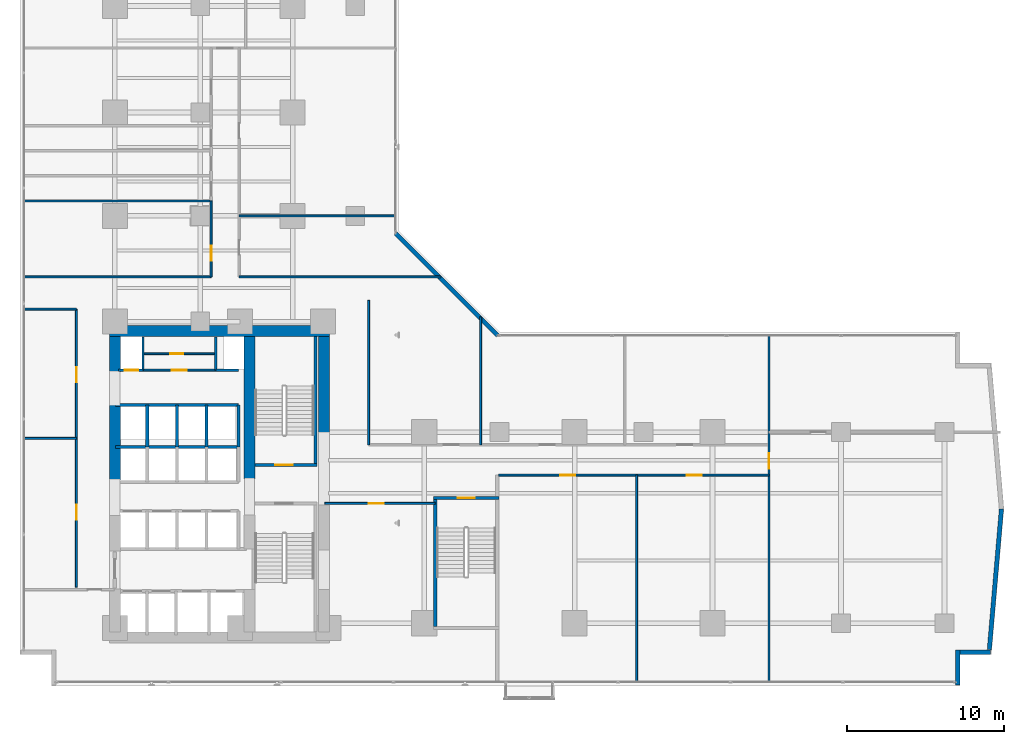
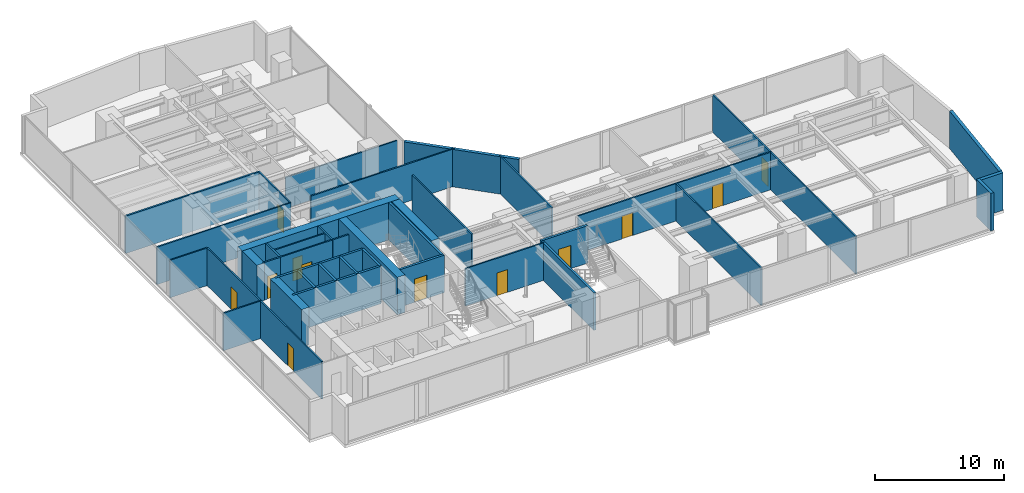
# One storey, part 24 of 30: 39 walls, 12 doors, 12 openings.
"""IFC4 building model written with IfcOpenShell, lengths in metres."""

import ifcopenshell
import ifcopenshell.guid

model = None  # the IFC model being written
_history = None  # IfcOwnerHistory: only IFC2X3 demands one
_inside = {}  # id of a spatial element -> (the spatial element, [elements in it])
_under = {}  # id of a project, library or spatial element -> (it, [spatial elements below it])
_declared = {}  # id of a project -> (the project, [libraries it declares])
_typed = {}  # id of a type object -> (the type object, [elements of that type])
_made_of = {}  # id of a material, layer set ... -> (it, [elements and type objects made of it])


def new_model(schema):
    """Start an empty IFC model of exactly this schema.

    Asked for "IFC4X3", IfcOpenShell would pick the latest addendum, in which some entities
    have other attributes; the version numbers below select the first issue.
    IFC2X3 requires an IfcOwnerHistory on every rooted entity: one is made here for all.
    """
    global model, _history
    if schema == "IFC4X3":
        model = ifcopenshell.file(schema_version=(4, 3, 0, 0))
    else:
        model = ifcopenshell.file(schema=schema)
    _inside.clear()
    _under.clear()
    _declared.clear()
    _typed.clear()
    _made_of.clear()
    _history = None
    if model.schema == "IFC2X3":
        org = make("IfcOrganization", Name="unknown")
        user = make(
            "IfcPersonAndOrganization",
            ThePerson=make("IfcPerson", FamilyName="unknown"),
            TheOrganization=org,
        )
        app = make(
            "IfcApplication",
            ApplicationDeveloper=org,
            Version="unknown",
            ApplicationFullName="unknown",
            ApplicationIdentifier="unknown",
        )
        _history = make(
            "IfcOwnerHistory",
            OwningUser=user,
            OwningApplication=app,
            ChangeAction="ADDED",
            CreationDate=0,
        )
    return model


def make(cls, **values):
    """One entity of the class cls with the attributes given. An attribute that is None is left unset."""
    return model.create_entity(
        cls, **{name: value for name, value in values.items() if value is not None}
    )


def rooted(cls, **values):
    """An entity with a GlobalId (a new one), such as an element, a storey or a relation."""
    return make(cls, GlobalId=ifcopenshell.guid.new(), OwnerHistory=_history, **values)


def si_unit(unit_type, name, prefix=None):
    """IfcSIUnit, for example si_unit("LENGTHUNIT", "METRE", prefix="MILLI")."""
    return make("IfcSIUnit", UnitType=unit_type, Prefix=prefix, Name=name)


def assignment(units):
    """IfcUnitAssignment: the units of a project."""
    return None if units is None else make("IfcUnitAssignment", Units=units)


def point(xyz):
    """IfcCartesianPoint."""
    return None if xyz is None else make("IfcCartesianPoint", Coordinates=xyz)


def direction(xyz):
    """IfcDirection."""
    return None if xyz is None else make("IfcDirection", DirectionRatios=xyz)


def frame(location, z_axis=None, x_axis=None):
    """IfcAxis2Placement3D, a coordinate frame: its origin and axes. An axis left out is left unset."""
    return make(
        "IfcAxis2Placement3D",
        Location=point(location),
        Axis=direction(z_axis),
        RefDirection=direction(x_axis),
    )


def frame_2d(location, x_axis=None):
    """IfcAxis2Placement2D, a coordinate frame in the plane: its origin and x axis."""
    return make(
        "IfcAxis2Placement2D", Location=point(location), RefDirection=direction(x_axis)
    )


def origin():
    """The frame at (0, 0, 0) with its axes left unset."""
    return frame((0.0, 0.0, 0.0))


def place(relative_to, where):
    """IfcLocalPlacement: puts the frame where relative to a parent placement (None: the world)."""
    return make(
        "IfcLocalPlacement", PlacementRelTo=relative_to, RelativePlacement=where
    )


def context(
    kind, dimensions, precision=None, world=None, true_north=None, identifier=None
):
    """IfcGeometricRepresentationContext, for example the 3D "Model" context."""
    return make(
        "IfcGeometricRepresentationContext",
        ContextIdentifier=identifier,
        ContextType=kind,
        CoordinateSpaceDimension=dimensions,
        Precision=precision,
        WorldCoordinateSystem=world,
        TrueNorth=true_north,
    )


def subcontext(parent, identifier, kind, view, scale=None):
    """IfcGeometricRepresentationSubContext, for example "Body" below "Model"."""
    return make(
        "IfcGeometricRepresentationSubContext",
        ContextIdentifier=identifier,
        ContextType=kind,
        ParentContext=parent,
        TargetScale=scale,
        TargetView=view,
    )


def project(units=None, contexts=None):
    """IfcProject with its units and contexts."""
    return rooted(
        "IfcProject",
        Name="project",
        RepresentationContexts=contexts,
        UnitsInContext=assignment(units),
    )


def spatial(cls, under=None, at=None, **own):
    """A site, building, storey or space (cls), placed at a placement, below another one or the project."""
    s = rooted(cls, ObjectPlacement=at, **own)
    if under is not None:
        _under.setdefault(under.id(), (under, []))[1].append(s)
    return s


def profile(cls, at=None, kind="AREA", **sizes):
    """A parametric profile (cls). Its sizes go by their IFC names, for example OverallWidth=200.0."""
    return make(cls, ProfileType=kind, Position=at, **sizes)


def rectangle(**sizes):
    """IfcRectangleProfileDef."""
    return profile("IfcRectangleProfileDef", **sizes)


def extrude(swept, where, along, depth):
    """IfcExtrudedAreaSolid: the profile swept, set in the frame where, extruded along a direction by depth."""
    return make(
        "IfcExtrudedAreaSolid",
        SweptArea=swept,
        Position=where,
        ExtrudedDirection=direction(along),
        Depth=depth,
    )


def shape(context_of_items, identifier, shape_type, items):
    """IfcShapeRepresentation: the items that make up one representation, for example the "Body"."""
    return make(
        "IfcShapeRepresentation",
        ContextOfItems=context_of_items,
        RepresentationIdentifier=identifier,
        RepresentationType=shape_type,
        Items=items,
    )


def material(Name=None, Category=None):
    """IfcMaterial."""
    return make("IfcMaterial", Name=Name, Category=Category)


def layer(
    of_material, thickness, ventilated=None, Name=None, Category=None, Priority=None
):
    """IfcMaterialLayer: one layer of a wall or slab, of a material (None: an air gap)."""
    return make(
        "IfcMaterialLayer",
        Material=of_material,
        LayerThickness=thickness,
        IsVentilated=ventilated,
        Name=Name,
        Category=Category,
        Priority=Priority,
    )


def layer_set(layers, Name=None):
    """IfcMaterialLayerSet."""
    return make("IfcMaterialLayerSet", MaterialLayers=layers, LayerSetName=Name)


def made_of(thing, what):
    """Note that an element or type object is made of a material, layer set ...; save() writes the relation."""
    if what is not None:
        _made_of.setdefault(what.id(), (what, []))[1].append(thing)
    return thing


def type_object(cls, material=None, **own):
    """A type object (cls), such as IfcWallType, which elements share."""
    return made_of(rooted(cls, **own), material)


def element(
    cls,
    number,
    at=None,
    inside=None,
    cuts=None,
    type_object=None,
    material=None,
    context=None,
    identifier="Body",
    shape_type=None,
    held_by="IfcProductDefinitionShape",
    body=None,
    shapes=None,
    **own,
):
    """One element of the class cls, such as IfcWall. Its Tag is "e" and its number.

    at: its placement. inside: the storey or other place that contains it. cuts: it is an
    opening in that element (IfcRelVoidsElement). A single representation is given by context,
    identifier, shape_type and body (its items); several are given by shapes. held_by: the class
    of the entity that holds the representations. save() writes the other relations.
    """
    e = rooted(cls, Tag="e%d" % number, ObjectPlacement=at, **own)
    if body is not None:
        shapes = [shape(context, identifier, shape_type, body)]
    if shapes is not None:
        e.Representation = make(held_by, Representations=shapes)
    if inside is not None:
        _inside.setdefault(inside.id(), (inside, []))[1].append(e)
    if cuts is not None:
        rooted(
            "IfcRelVoidsElement", RelatingBuildingElement=cuts, RelatedOpeningElement=e
        )
    if type_object is not None:
        _typed.setdefault(type_object.id(), (type_object, []))[1].append(e)
    return made_of(e, material)


def fill(opening, filler):
    """IfcRelFillsElement: the door or window that sits in an opening."""
    return rooted(
        "IfcRelFillsElement",
        RelatingOpeningElement=opening,
        RelatedBuildingElement=filler,
    )


def aggregate(whole, parts):
    """IfcRelAggregates: a whole, such as a stair, and the parts it consists of."""
    return rooted("IfcRelAggregates", RelatingObject=whole, RelatedObjects=parts)


def save(model, path):
    """Write the relations noted so far, then the file.

    IfcRelAggregates (storeys below a building ...), IfcRelContainedInSpatialStructure (elements
    in a storey), IfcRelDefinesByType, IfcRelAssociatesMaterial and IfcRelDeclares: one each for
    every whole, place, type object, material and project.
    """
    for whole, parts in _under.values():
        aggregate(whole, parts)
    for where, things in _inside.values():
        rooted(
            "IfcRelContainedInSpatialStructure",
            RelatedElements=things,
            RelatingStructure=where,
        )
    for kind, things in _typed.values():
        rooted("IfcRelDefinesByType", RelatedObjects=things, RelatingType=kind)
    for what, things in _made_of.values():
        rooted("IfcRelAssociatesMaterial", RelatedObjects=things, RelatingMaterial=what)
    for by, libraries in _declared.values():
        rooted("IfcRelDeclares", RelatingContext=by, RelatedDefinitions=libraries)
    model.write(path)


model = new_model("IFC4")

# Units and contexts
model_context = context("Model", 3, precision=1e-05, world=origin(), true_north=direction((0.0, 1.0)))
body_context = subcontext(model_context, "Body", "Model", "MODEL_VIEW")
ifc_project = project(units=[si_unit("LENGTHUNIT", "METRE"), si_unit("AREAUNIT", "SQUARE_METRE"), si_unit("VOLUMEUNIT", "CUBIC_METRE"), si_unit("PLANEANGLEUNIT", "RADIAN"), si_unit("MASSUNIT", "GRAM", prefix="KILO")], contexts=[model_context])

# Site, building, storey
site_placement = place(None, origin())
site = spatial("IfcSite", under=ifc_project, at=site_placement, CompositionType="ELEMENT")
building_placement = place(site_placement, origin())
building = spatial("IfcBuilding", under=site, at=building_placement, Name="Kolvaren Waterfront Exchange", CompositionType="ELEMENT")
storey_placement = place(building_placement, frame((0.0, 0.0, 52.39990234375)))
storey = spatial("IfcBuildingStorey", under=building, at=storey_placement, Name="L13", CompositionType="ELEMENT", Elevation=52.39990234375)

# Walls
ifc_material_1 = material(Name="Precast concrete C40/50", Category="concrete")
ifc_layer_1 = layer(ifc_material_1, 0.280029296875, Name="Precast concrete C40/50")
ifc_layer_set_1 = layer_set([ifc_layer_1], Name="Precast concrete C40/50")
wall_type_1 = type_object("IfcWallType", Name="ARC-EXT-TERR-280", PredefinedType="SOLIDWALL", material=ifc_layer_set_1)
wall_1_placement = place(storey_placement, frame((61.239990234375, 1.260009765625, 0.0), z_axis=(0.0, 0.0, 1.0), x_axis=(0.0, 1.0, 0.0)))
element("IfcWall", 1, at=wall_1_placement, inside=storey, type_object=wall_type_1, Name="L13 notched corner spandrel pier SE-A", PredefinedType="SOLIDWALL", context=body_context, shape_type="SweptSolid", body=[
    extrude(rectangle(XDim=2.239990234375, YDim=0.280029296875, at=frame_2d((1.1201171875, 0.0))), origin(), (0.0, 0.0, 1.0), 3.5400390625),
])
wall_2_placement = place(storey_placement, frame((61.3798828125, 3.360107421875, 0.0), z_axis=(0.0, 0.0, 1.0), x_axis=(1.0, 0.0, 0.0)))
element("IfcWall", 2, at=wall_2_placement, inside=storey, type_object=wall_type_1, Name="L13 notched corner spandrel pier SE-B", PredefinedType="SOLIDWALL", context=body_context, shape_type="SweptSolid", body=[
    extrude(rectangle(XDim=1.960205078125, YDim=0.280029296875, at=frame_2d((0.97998046875, 0.0))), origin(), (0.0, 0.0, 1.0), 3.5400390625),
])
wall_3_placement = place(storey_placement, frame((31.885009765625, 23.574951171875, 0.0), z_axis=(0.0, 0.0, 1.0), x_axis=(-0.707106781187, 0.707106781187, 0.0)))
element("IfcWall", 3, at=wall_3_placement, inside=storey, type_object=wall_type_1, Name="L13 notched corner spandrel pier ELBOW", PredefinedType="SOLIDWALL", context=body_context, shape_type="SweptSolid", body=[
    extrude(rectangle(XDim=9.20654296875, YDim=0.280029296875, at=frame_2d((4.603271484375, 0.0))), origin(), (0.0, 0.0, 1.0), 3.5400390625),
])
wall_4_placement = place(storey_placement, frame((63.266357421875, 3.5126953125, 0.0), z_axis=(0.0, 0.0, 1.0), x_axis=(0.085692274626, 0.996321651912, 0.0)))
element("IfcWall", 4, at=wall_4_placement, inside=storey, type_object=wall_type_1, Name="L13 east prow faceted facade wall 1", PredefinedType="SOLIDWALL", context=body_context, shape_type="SweptSolid", body=[
    extrude(rectangle(XDim=9.014404296875, YDim=0.280029296875, at=frame_2d((4.50732421875, 0.0))), origin(), (0.0, 0.0, 1.0), 3.5400390625),
])

# Wall, opening, door
ifc_layer_2 = layer(ifc_material_1, 0.199951171875, Name="Precast concrete C40/50")
ifc_layer_set_2 = layer_set([ifc_layer_2], Name="Precast concrete C40/50")
wall_type_2 = type_object("IfcWallType", Name="ARC-FIRE-200", PredefinedType="PARTITIONING", material=ifc_layer_set_2)
wall_5_placement = place(storey_placement, frame((16.409912109375, 15.300048828125, 0.0), z_axis=(0.0, 0.0, 1.0), x_axis=(1.0, 0.0, 0.0)))
wall_5 = element("IfcWall", 5, at=wall_5_placement, inside=storey, type_object=wall_type_2, Name="L13 interior wall PW-L13-ST2-THROAT-N", PredefinedType="PARTITIONING", context=body_context, shape_type="SweptSolid", body=[
    extrude(rectangle(XDim=3.9501953125, YDim=0.199951171875, at=frame_2d((1.97509765625, 0.0))), origin(), (0.0, 0.0, 1.0), 3.5400390625),
])
opening_1_placement = place(wall_5_placement, frame((1.293701171875, 0.0, 0.0)))
opening_1 = element("IfcOpeningElement", 6, at=opening_1_placement, cuts=wall_5, Name="Opening FD2", PredefinedType="OPENING", context=body_context, shape_type="SweptSolid", body=[
    extrude(rectangle(XDim=1.10009765625, YDim=2.199951171875, at=frame_2d((0.550048828125, 1.10009765625))), frame((0.0, 0.10986328125, 0.0), z_axis=(0.0, -1.0, 0.0), x_axis=(1.0, 0.0, 0.0)), (0.0, 0.0, 1.0), 0.219970703125),
])
ifc_material_2 = material(Name="Pressed steel smoke-seal fire door", Category="steel")
door_type_1 = type_object("IfcDoorType", Name="ARC-FD-1100", OperationType="NOTDEFINED", PredefinedType="DOOR", material=ifc_material_2)
door_1_placement = place(opening_1_placement, origin())
door_1 = element("IfcDoor", 7, at=door_1_placement, inside=storey, type_object=door_type_1, Name="L13 door DR-L13-ST2-IN (FD2)", OperationType="SINGLE_SWING_LEFT", OverallHeight=2.199951171875, OverallWidth=1.10009765625, PredefinedType="DOOR", context=body_context, shape_type="SweptSolid", body=[
    extrude(rectangle(XDim=1.10009765625, YDim=2.199951171875, at=frame_2d((0.550048828125, 1.10009765625))), frame((0.0, 0.02490234375, 0.0), z_axis=(0.0, -1.0, 0.0), x_axis=(1.0, 0.0, 0.0)), (0.0, 0.0, 1.0), 0.050048828125),
])
fill(opening_1, door_1)

ifc_material_3 = material(Name="Acoustic gypsum steel stud", Category="steel")
ifc_layer_3 = layer(ifc_material_3, 0.125, Name="Acoustic gypsum steel stud")
ifc_layer_set_3 = layer_set([ifc_layer_3], Name="Acoustic gypsum steel stud")
wall_type_3 = type_object("IfcWallType", Name="ARC-PART-125", PredefinedType="PARTITIONING", material=ifc_layer_set_3)
wall_6_placement = place(storey_placement, frame((9.25, 21.35009765625, 0.0), z_axis=(0.0, 0.0, 1.0), x_axis=(1.0, 0.0, 0.0)))
wall_6 = element("IfcWall", 8, at=wall_6_placement, inside=storey, type_object=wall_type_3, Name="L13 interior wall PW-L13-SVC-EX-S", PredefinedType="PARTITIONING", context=body_context, shape_type="SweptSolid", body=[
    extrude(rectangle(XDim=4.64990234375, YDim=0.125, at=frame_2d((2.324951171875, 0.0))), origin(), (0.0, 0.0, 1.0), 3.5400390625),
])
opening_2_placement = place(wall_6_placement, frame((1.85009765625, 0.0, 0.0)))
opening_2 = element("IfcOpeningElement", 9, at=opening_2_placement, cuts=wall_6, Name="Opening D02", PredefinedType="OPENING", context=body_context, shape_type="SweptSolid", body=[
    extrude(rectangle(XDim=0.949951171875, YDim=2.14990234375, at=frame_2d((0.47509765625, 1.074951171875))), frame((0.0, 0.072509765625, 0.0), z_axis=(0.0, -1.0, 0.0), x_axis=(1.0, 0.0, 0.0)), (0.0, 0.0, 1.0), 0.14501953125),
])
ifc_material_4 = material(Name="Oak veneer acoustic timber", Category="wood")
door_type_2 = type_object("IfcDoorType", Name="ARC-DR-950", OperationType="NOTDEFINED", PredefinedType="DOOR", material=ifc_material_4)
door_2_placement = place(opening_2_placement, origin())
door_2 = element("IfcDoor", 10, at=door_2_placement, inside=storey, type_object=door_type_2, Name="L13 door DR-L13-SVC-DR-1 (D02)", OperationType="SINGLE_SWING_LEFT", OverallHeight=2.14990234375, OverallWidth=0.949951171875, PredefinedType="DOOR", context=body_context, shape_type="SweptSolid", body=[
    extrude(rectangle(XDim=0.949951171875, YDim=2.14990234375, at=frame_2d((0.47509765625, 1.074951171875))), frame((0.0, 0.02490234375, 0.0), z_axis=(0.0, -1.0, 0.0), x_axis=(1.0, 0.0, 0.0)), (0.0, 0.0, 1.0), 0.050048828125),
])
fill(opening_2, door_2)

wall_7_placement = place(storey_placement, frame((9.25, 22.39990234375, 0.0), z_axis=(0.0, 0.0, 1.0), x_axis=(1.0, 0.0, 0.0)))
wall_7 = element("IfcWall", 11, at=wall_7_placement, inside=storey, type_object=wall_type_3, Name="L13 interior wall PW-L13-SVC-EX-HS", PredefinedType="PARTITIONING", context=body_context, shape_type="SweptSolid", body=[
    extrude(rectangle(XDim=4.64990234375, YDim=0.125, at=frame_2d((2.324951171875, 0.0))), origin(), (0.0, 0.0, 1.0), 3.5400390625),
])
opening_3_placement = place(wall_7_placement, frame((1.727783203125, 0.0, 0.0)))
opening_3 = element("IfcOpeningElement", 12, at=opening_3_placement, cuts=wall_7, Name="Opening D01", PredefinedType="OPENING", context=body_context, shape_type="SweptSolid", body=[
    extrude(rectangle(XDim=0.85009765625, YDim=2.14990234375, at=frame_2d((0.425048828125, 1.074951171875))), frame((0.0, 0.072509765625, 0.0), z_axis=(0.0, -1.0, 0.0), x_axis=(1.0, 0.0, 0.0)), (0.0, 0.0, 1.0), 0.14501953125),
])
ifc_material_5 = material(Name="Oak veneer timber leaf", Category="wood")
door_type_3 = type_object("IfcDoorType", Name="ARC-DR-900", OperationType="NOTDEFINED", PredefinedType="DOOR", material=ifc_material_5)
door_3_placement = place(opening_3_placement, origin())
door_3 = element("IfcDoor", 13, at=door_3_placement, inside=storey, type_object=door_type_3, Name="L13 door DR-L13-SVC-DR-2 (D01)", OperationType="SINGLE_SWING_RIGHT", OverallHeight=2.14990234375, OverallWidth=0.85009765625, PredefinedType="DOOR", context=body_context, shape_type="SweptSolid", body=[
    extrude(rectangle(XDim=0.85009765625, YDim=2.14990234375, at=frame_2d((0.425048828125, 1.074951171875))), frame((0.0, 0.02490234375, 0.0), z_axis=(0.0, -1.0, 0.0), x_axis=(1.0, 0.0, 0.0)), (0.0, 0.0, 1.0), 0.050048828125),
])
fill(opening_3, door_3)

wall_8_placement = place(storey_placement, frame((13.60009765625, 27.300048828125, 0.0), z_axis=(0.0, 0.0, 1.0), x_axis=(0.0, 1.0, 0.0)))
wall_8 = element("IfcWall", 14, at=wall_8_placement, inside=storey, type_object=wall_type_3, Name="L13 interior wall PW-L13-PREWC-E", PredefinedType="PARTITIONING", context=body_context, shape_type="SweptSolid", body=[
    extrude(rectangle(XDim=4.849853515625, YDim=0.125, at=frame_2d((2.4248046875, 0.0))), origin(), (0.0, 0.0, 1.0), 3.5400390625),
])
opening_4_placement = place(wall_8_placement, frame((1.050048828125, 0.0, 0.0)))
opening_4 = element("IfcOpeningElement", 15, at=opening_4_placement, cuts=wall_8, Name="Opening D02", PredefinedType="OPENING", context=body_context, shape_type="SweptSolid", body=[
    extrude(rectangle(XDim=0.949951171875, YDim=2.14990234375, at=frame_2d((0.47509765625, 1.074951171875))), frame((0.0, 0.072509765625, 0.0), z_axis=(0.0, -1.0, 0.0), x_axis=(1.0, 0.0, 0.0)), (0.0, 0.0, 1.0), 0.14501953125),
])
door_4_placement = place(opening_4_placement, origin())
door_4 = element("IfcDoor", 16, at=door_4_placement, inside=storey, type_object=door_type_2, Name="L13 door DR-L13-PREWC-D (D02)", OperationType="SINGLE_SWING_LEFT", OverallHeight=2.14990234375, OverallWidth=0.949951171875, PredefinedType="DOOR", context=body_context, shape_type="SweptSolid", body=[
    extrude(rectangle(XDim=0.949951171875, YDim=2.14990234375, at=frame_2d((0.47509765625, 1.074951171875))), frame((0.0, 0.02490234375, 0.0), z_axis=(0.0, -1.0, 0.0), x_axis=(1.0, 0.0, 0.0)), (0.0, 0.0, 1.0), 0.050048828125),
])
fill(opening_4, door_4)

# Wall
wall_9_placement = place(storey_placement, frame((1.639892578125, 27.300048828125, 0.0), z_axis=(0.0, 0.0, 1.0), x_axis=(1.0, 0.0, 0.0)))
element("IfcWall", 17, at=wall_9_placement, inside=storey, type_object=wall_type_3, Name="L13 interior wall PW-L13-PREWC-S", PredefinedType="PARTITIONING", context=body_context, shape_type="SweptSolid", body=[
    extrude(rectangle(XDim=11.960205078125, YDim=0.125, at=frame_2d((5.97998046875, 0.0))), origin(), (0.0, 0.0, 1.0), 3.5400390625),
])

# Wall, openings, doors
wall_10_placement = place(storey_placement, frame((5.0, 7.5, 0.0), z_axis=(0.0, 0.0, 1.0), x_axis=(0.0, 1.0, 0.0)))
wall_10 = element("IfcWall", 18, at=wall_10_placement, inside=storey, type_object=wall_type_3, Name="L13 interior wall PW-L13-WFLANK-E", PredefinedType="PARTITIONING", context=body_context, shape_type="SweptSolid", body=[
    extrude(rectangle(XDim=17.75, YDim=0.125, at=frame_2d((8.875, 0.0))), origin(), (0.0, 0.0, 1.0), 3.5400390625),
])
opening_5_placement = place(wall_10_placement, frame((4.320068359375, 0.0, 0.0)))
opening_5 = element("IfcOpeningElement", 19, at=opening_5_placement, cuts=wall_10, Name="Opening D02", PredefinedType="OPENING", context=body_context, shape_type="SweptSolid", body=[
    extrude(rectangle(XDim=0.949951171875, YDim=2.14990234375, at=frame_2d((0.47509765625, 1.074951171875))), frame((0.0, 0.072509765625, 0.0), z_axis=(0.0, -1.0, 0.0), x_axis=(1.0, 0.0, 0.0)), (0.0, 0.0, 1.0), 0.14501953125),
])
opening_6_placement = place(wall_10_placement, frame((13.078857421875, 0.0, 0.0)))
opening_6 = element("IfcOpeningElement", 20, at=opening_6_placement, cuts=wall_10, Name="Opening D02", PredefinedType="OPENING", context=body_context, shape_type="SweptSolid", body=[
    extrude(rectangle(XDim=0.949951171875, YDim=2.14990234375, at=frame_2d((0.47509765625, 1.074951171875))), frame((0.0, 0.072509765625, 0.0), z_axis=(0.0, -1.0, 0.0), x_axis=(1.0, 0.0, 0.0)), (0.0, 0.0, 1.0), 0.14501953125),
])
door_5_placement = place(opening_5_placement, origin())
door_5 = element("IfcDoor", 21, at=door_5_placement, inside=storey, type_object=door_type_2, Name="L13 door DR-L13-WFL1-D (D02)", OperationType="SINGLE_SWING_RIGHT", OverallHeight=2.14990234375, OverallWidth=0.949951171875, PredefinedType="DOOR", context=body_context, shape_type="SweptSolid", body=[
    extrude(rectangle(XDim=0.949951171875, YDim=2.14990234375, at=frame_2d((0.47509765625, 1.074951171875))), frame((0.0, 0.02490234375, 0.0), z_axis=(0.0, -1.0, 0.0), x_axis=(1.0, 0.0, 0.0)), (0.0, 0.0, 1.0), 0.050048828125),
])
fill(opening_5, door_5)
door_6_placement = place(opening_6_placement, origin())
door_6 = element("IfcDoor", 22, at=door_6_placement, inside=storey, type_object=door_type_2, Name="L13 door DR-L13-WFL2-D (D02)", OperationType="SINGLE_SWING_LEFT", OverallHeight=2.14990234375, OverallWidth=0.949951171875, PredefinedType="DOOR", context=body_context, shape_type="SweptSolid", body=[
    extrude(rectangle(XDim=0.949951171875, YDim=2.14990234375, at=frame_2d((0.47509765625, 1.074951171875))), frame((0.0, 0.02490234375, 0.0), z_axis=(0.0, -1.0, 0.0), x_axis=(1.0, 0.0, 0.0)), (0.0, 0.0, 1.0), 0.050048828125),
])
fill(opening_6, door_6)

# Walls
for number, where, z_axis, x_axis, name in (
    (23, (1.639892578125, 25.25, 0.0), (0.0, 0.0, 1.0), (1.0, 0.0, 0.0), "L13 interior wall PW-L13-WFLANK-N"),
    (24, (1.639892578125, 17.0, 0.0), (0.0, 0.0, 1.0), (1.0, 0.0, 0.0), "L13 interior wall PW-L13-WFLANK-MID"),
):
    element("IfcWall", number, at=place(storey_placement, frame(where, z_axis=z_axis, x_axis=x_axis)), inside=storey, type_object=wall_type_3, Name=name, PredefinedType="PARTITIONING", context=body_context, shape_type="SweptSolid", body=[
        extrude(rectangle(XDim=3.360107421875, YDim=0.125, at=frame_2d((1.68017578125, 0.0))), origin(), (0.0, 0.0, 1.0), 3.5400390625),
    ])

# Wall, opening, door
wall_11_placement = place(storey_placement, frame((20.85009765625, 12.85009765625, 0.0), z_axis=(0.0, 0.0, 1.0), x_axis=(1.0, 0.0, 0.0)))
wall_11 = element("IfcWall", 25, at=wall_11_placement, inside=storey, type_object=wall_type_3, Name="L13 interior wall PW-L13-SWST3-N", PredefinedType="PARTITIONING", context=body_context, shape_type="SweptSolid", body=[
    extrude(rectangle(XDim=7.0498046875, YDim=0.125, at=frame_2d((3.52490234375, 0.0))), origin(), (0.0, 0.0, 1.0), 3.5400390625),
])
opening_7_placement = place(wall_11_placement, frame((2.800048828125, 0.0, 0.0)))
opening_7 = element("IfcOpeningElement", 26, at=opening_7_placement, cuts=wall_11, Name="Opening D02", PredefinedType="OPENING", context=body_context, shape_type="SweptSolid", body=[
    extrude(rectangle(XDim=0.949951171875, YDim=2.14990234375, at=frame_2d((0.47509765625, 1.074951171875))), frame((0.0, 0.072509765625, 0.0), z_axis=(0.0, -1.0, 0.0), x_axis=(1.0, 0.0, 0.0)), (0.0, 0.0, 1.0), 0.14501953125),
])
door_7_placement = place(opening_7_placement, origin())
door_7 = element("IfcDoor", 27, at=door_7_placement, inside=storey, type_object=door_type_2, Name="L13 door DR-L13-SWST3-D (D02)", OperationType="SINGLE_SWING_RIGHT", OverallHeight=2.14990234375, OverallWidth=0.949951171875, PredefinedType="DOOR", context=body_context, shape_type="SweptSolid", body=[
    extrude(rectangle(XDim=0.949951171875, YDim=2.14990234375, at=frame_2d((0.47509765625, 1.074951171875))), frame((0.0, 0.02490234375, 0.0), z_axis=(0.0, -1.0, 0.0), x_axis=(1.0, 0.0, 0.0)), (0.0, 0.0, 1.0), 0.050048828125),
])
fill(opening_7, door_7)

# Wall, openings, doors
wall_12_placement = place(storey_placement, frame((31.949951171875, 14.64990234375, 0.0), z_axis=(0.0, 0.0, 1.0), x_axis=(1.0, 0.0, 0.0)))
wall_12 = element("IfcWall", 28, at=wall_12_placement, inside=storey, type_object=wall_type_3, Name="L13 interior wall PW-L13-ES-CORR", PredefinedType="PARTITIONING", context=body_context, shape_type="SweptSolid", body=[
    extrude(rectangle(XDim=17.25, YDim=0.125, at=frame_2d((8.625, 0.0))), origin(), (0.0, 0.0, 1.0), 3.5400390625),
])
opening_8_placement = place(wall_12_placement, frame((3.925048828125, 0.0, 0.0)))
opening_8 = element("IfcOpeningElement", 29, at=opening_8_placement, cuts=wall_12, Name="Opening D02", PredefinedType="OPENING", context=body_context, shape_type="SweptSolid", body=[
    extrude(rectangle(XDim=0.949951171875, YDim=2.14990234375, at=frame_2d((0.47509765625, 1.074951171875))), frame((0.0, 0.072509765625, 0.0), z_axis=(0.0, -1.0, 0.0), x_axis=(1.0, 0.0, 0.0)), (0.0, 0.0, 1.0), 0.14501953125),
])
opening_9_placement = place(wall_12_placement, frame((12.0048828125, 0.0, 0.0)))
opening_9 = element("IfcOpeningElement", 30, at=opening_9_placement, cuts=wall_12, Name="Opening D02", PredefinedType="OPENING", context=body_context, shape_type="SweptSolid", body=[
    extrude(rectangle(XDim=0.949951171875, YDim=2.14990234375, at=frame_2d((0.47509765625, 1.074951171875))), frame((0.0, 0.072509765625, 0.0), z_axis=(0.0, -1.0, 0.0), x_axis=(1.0, 0.0, 0.0)), (0.0, 0.0, 1.0), 0.14501953125),
])
door_8_placement = place(opening_8_placement, origin())
door_8 = element("IfcDoor", 31, at=door_8_placement, inside=storey, type_object=door_type_2, Name="L13 door DR-L13-ES-D-1 (D02)", OperationType="SINGLE_SWING_LEFT", OverallHeight=2.14990234375, OverallWidth=0.949951171875, PredefinedType="DOOR", context=body_context, shape_type="SweptSolid", body=[
    extrude(rectangle(XDim=0.949951171875, YDim=2.14990234375, at=frame_2d((0.47509765625, 1.074951171875))), frame((0.0, 0.02490234375, 0.0), z_axis=(0.0, -1.0, 0.0), x_axis=(1.0, 0.0, 0.0)), (0.0, 0.0, 1.0), 0.050048828125),
])
fill(opening_8, door_8)
door_9_placement = place(opening_9_placement, origin())
door_9 = element("IfcDoor", 32, at=door_9_placement, inside=storey, type_object=door_type_2, Name="L13 door DR-L13-ES-D-2 (D02)", OperationType="SINGLE_SWING_RIGHT", OverallHeight=2.14990234375, OverallWidth=0.949951171875, PredefinedType="DOOR", context=body_context, shape_type="SweptSolid", body=[
    extrude(rectangle(XDim=0.949951171875, YDim=2.14990234375, at=frame_2d((0.47509765625, 1.074951171875))), frame((0.0, 0.02490234375, 0.0), z_axis=(0.0, -1.0, 0.0), x_axis=(1.0, 0.0, 0.0)), (0.0, 0.0, 1.0), 0.050048828125),
])
fill(opening_9, door_9)

# Wall
wall_13_placement = place(storey_placement, frame((40.75, 1.43994140625, 0.0), z_axis=(0.0, 0.0, 1.0), x_axis=(0.0, 1.0, 0.0)))
element("IfcWall", 33, at=wall_13_placement, inside=storey, type_object=wall_type_3, Name="L13 interior wall PW-L13-ES-DIV-1", PredefinedType="PARTITIONING", context=body_context, shape_type="SweptSolid", body=[
    extrude(rectangle(XDim=13.2099609375, YDim=0.125, at=frame_2d((6.60498046875, 0.0))), origin(), (0.0, 0.0, 1.0), 3.5400390625),
])

# Wall, opening, door
wall_14_placement = place(storey_placement, frame((49.199951171875, 1.43994140625, 0.0), z_axis=(0.0, 0.0, 1.0), x_axis=(0.0, 1.0, 0.0)))
wall_14 = element("IfcWall", 34, at=wall_14_placement, inside=storey, type_object=wall_type_3, Name="L13 interior wall PW-L13-ETIP-W", PredefinedType="PARTITIONING", context=body_context, shape_type="SweptSolid", body=[
    extrude(rectangle(XDim=22.1201171875, YDim=0.125, at=frame_2d((11.06005859375, 0.0))), origin(), (0.0, 0.0, 1.0), 3.5400390625),
])
opening_10_placement = place(wall_14_placement, frame((13.610107421875, 0.0, 0.0)))
opening_10 = element("IfcOpeningElement", 35, at=opening_10_placement, cuts=wall_14, Name="Opening D03", PredefinedType="OPENING", context=body_context, shape_type="SweptSolid", body=[
    extrude(rectangle(XDim=1.0, YDim=2.199951171875, at=frame_2d((0.5, 1.10009765625))), frame((0.0, 0.072509765625, 0.0), z_axis=(0.0, -1.0, 0.0), x_axis=(1.0, 0.0, 0.0)), (0.0, 0.0, 1.0), 0.14501953125),
])
ifc_material_6 = material(Name="Oak veneer accessible timber", Category="wood")
door_type_4 = type_object("IfcDoorType", Name="ARC-DR-1000", OperationType="NOTDEFINED", PredefinedType="DOOR", material=ifc_material_6)
door_10_placement = place(opening_10_placement, origin())
door_10 = element("IfcDoor", 36, at=door_10_placement, inside=storey, type_object=door_type_4, Name="L13 door DR-L13-ETIP1-D (D03)", OperationType="SINGLE_SWING_LEFT", OverallHeight=2.199951171875, OverallWidth=1.0, PredefinedType="DOOR", context=body_context, shape_type="SweptSolid", body=[
    extrude(rectangle(XDim=1.0, YDim=2.199951171875, at=frame_2d((0.5, 1.10009765625))), frame((0.0, 0.02490234375, 0.0), z_axis=(0.0, -1.0, 0.0), x_axis=(1.0, 0.0, 0.0)), (0.0, 0.0, 1.0), 0.050048828125),
])
fill(opening_10, door_10)

# Walls
wall_15_placement = place(storey_placement, frame((23.64990234375, 16.590087890625, 0.0), z_axis=(0.0, 0.0, 1.0), x_axis=(0.0, 1.0, 0.0)))
element("IfcWall", 37, at=wall_15_placement, inside=storey, type_object=wall_type_3, Name="L13 interior wall PW-L13-EN-W0", PredefinedType="PARTITIONING", context=body_context, shape_type="SweptSolid", body=[
    extrude(rectangle(XDim=9.2099609375, YDim=0.125, at=frame_2d((4.60498046875, 0.0))), origin(), (0.0, 0.0, 1.0), 3.5400390625),
])
wall_16_placement = place(storey_placement, frame((30.800048828125, 16.590087890625, 0.0), z_axis=(0.0, 0.0, 1.0), x_axis=(0.0, 1.0, 0.0)))
element("IfcWall", 38, at=wall_16_placement, inside=storey, type_object=wall_type_3, Name="L13 interior wall PW-L13-EN-DIV-1", PredefinedType="PARTITIONING", context=body_context, shape_type="SweptSolid", body=[
    extrude(rectangle(XDim=8.169921875, YDim=0.125, at=frame_2d((4.0849609375, 0.0))), origin(), (0.0, 0.0, 1.0), 3.5400390625),
])
wall_17_placement = place(storey_placement, frame((15.3798828125, 27.300048828125, 0.0), z_axis=(0.0, 0.0, 1.0), x_axis=(1.0, 0.0, 0.0)))
element("IfcWall", 39, at=wall_17_placement, inside=storey, type_object=wall_type_3, Name="L13 interior wall PW-L13-NE-S0", PredefinedType="PARTITIONING", context=body_context, shape_type="SweptSolid", body=[
    extrude(rectangle(XDim=12.880126953125, YDim=0.125, at=frame_2d((6.43994140625, 0.0))), origin(), (0.0, 0.0, 1.0), 3.5400390625),
])
wall_18_placement = place(storey_placement, frame((15.3798828125, 31.199951171875, 0.0), z_axis=(0.0, 0.0, 1.0), x_axis=(1.0, 0.0, 0.0)))
element("IfcWall", 40, at=wall_18_placement, inside=storey, type_object=wall_type_3, Name="L13 interior wall PW-L13-NE-DIV-1", PredefinedType="PARTITIONING", context=body_context, shape_type="SweptSolid", body=[
    extrude(rectangle(XDim=9.980224609375, YDim=0.125, at=frame_2d((4.990234375, 0.0))), origin(), (0.0, 0.0, 1.0), 2.940185546875),
])
ifc_material_7 = material(Name="Gypsum fireboard steel stud", Category="steel")
ifc_layer_4 = layer(ifc_material_7, 0.14990234375, Name="Gypsum fireboard steel stud")
ifc_layer_set_4 = layer_set([ifc_layer_4], Name="Gypsum fireboard steel stud")
wall_type_4 = type_object("IfcWallType", Name="ARC-PART-150", PredefinedType="PARTITIONING", material=ifc_layer_set_4)
for number, where, z_axis, x_axis, name in (
    (41, (9.25, 21.35009765625, 0.0), (0.0, 0.0, 1.0), (0.0, 1.0, 0.0), "L13 interior wall PW-L13-SVC-R1"),
    (42, (13.89990234375, 21.35009765625, 0.0), (0.0, 0.0, 1.0), (0.0, 1.0, 0.0), "L13 interior wall PW-L13-SVC-R2"),
):
    element("IfcWall", number, at=place(storey_placement, frame(where, z_axis=z_axis, x_axis=x_axis)), inside=storey, type_object=wall_type_4, Name=name, PredefinedType="PARTITIONING", context=body_context, shape_type="SweptSolid", body=[
        extrude(rectangle(XDim=2.1298828125, YDim=0.14990234375, at=frame_2d((1.06494140625, 0.0))), origin(), (0.0, 0.0, 1.0), 3.5400390625),
    ])

# Wall, opening, door
wall_19_placement = place(storey_placement, frame((7.699951171875, 21.35009765625, 0.0), z_axis=(0.0, 0.0, 1.0), x_axis=(1.0, 0.0, 0.0)))
wall_19 = element("IfcWall", 43, at=wall_19_placement, inside=storey, type_object=wall_type_4, Name="L13 interior wall PW-L13-SVC-RE-S", PredefinedType="PARTITIONING", context=body_context, shape_type="SweptSolid", body=[
    extrude(rectangle(XDim=1.550048828125, YDim=0.14990234375, at=frame_2d((0.77490234375, 0.0))), origin(), (0.0, 0.0, 1.0), 3.5400390625),
])
opening_11_placement = place(wall_19_placement, frame((0.389892578125, 0.0, 0.0)))
opening_11 = element("IfcOpeningElement", 44, at=opening_11_placement, cuts=wall_19, Name="Opening FD1", PredefinedType="OPENING", context=body_context, shape_type="SweptSolid", body=[
    extrude(rectangle(XDim=0.85009765625, YDim=2.14990234375, at=frame_2d((0.425048828125, 1.074951171875))), frame((0.0, 0.0849609375, 0.0), z_axis=(0.0, -1.0, 0.0), x_axis=(1.0, 0.0, 0.0)), (0.0, 0.0, 1.0), 0.169921875),
])
ifc_material_8 = material(Name="Pressed steel fire leaf", Category="steel")
door_type_5 = type_object("IfcDoorType", Name="ARC-FD-900", OperationType="NOTDEFINED", PredefinedType="DOOR", material=ifc_material_8)
door_11_placement = place(opening_11_placement, origin())
door_11 = element("IfcDoor", 45, at=door_11_placement, inside=storey, type_object=door_type_5, Name="L13 door DR-L13-RISER-E-DR (FD1)", OperationType="SINGLE_SWING_RIGHT", OverallHeight=2.14990234375, OverallWidth=0.85009765625, PredefinedType="DOOR", context=body_context, shape_type="SweptSolid", body=[
    extrude(rectangle(XDim=0.85009765625, YDim=2.14990234375, at=frame_2d((0.425048828125, 1.074951171875))), frame((0.0, 0.02490234375, 0.0), z_axis=(0.0, -1.0, 0.0), x_axis=(1.0, 0.0, 0.0)), (0.0, 0.0, 1.0), 0.050048828125),
])
fill(opening_11, door_11)

# Walls
wall_20_placement = place(storey_placement, frame((13.89990234375, 21.35009765625, 0.0), z_axis=(0.0, 0.0, 1.0), x_axis=(1.0, 0.0, 0.0)))
element("IfcWall", 46, at=wall_20_placement, inside=storey, type_object=wall_type_4, Name="L13 interior wall PW-L13-SVC-RP-S", PredefinedType="PARTITIONING", context=body_context, shape_type="SweptSolid", body=[
    extrude(rectangle(XDim=1.4501953125, YDim=0.14990234375, at=frame_2d((0.72509765625, 0.0))), origin(), (0.0, 0.0, 1.0), 3.5400390625),
])
ifc_material_9 = material(Name="Moisture-resistant gypsum stud")
ifc_layer_5 = layer(ifc_material_9, 0.14990234375, Name="Moisture-resistant gypsum stud")
ifc_layer_set_5 = layer_set([ifc_layer_5], Name="Moisture-resistant gypsum stud")
wall_type_5 = type_object("IfcWallType", Name="ARC-PLUMB-150", PredefinedType="PLUMBINGWALL", material=ifc_layer_set_5)
wall_21_placement = place(storey_placement, frame((1.639892578125, 32.14990234375, 0.0), z_axis=(0.0, 0.0, 1.0), x_axis=(1.0, 0.0, 0.0)))
element("IfcWall", 47, at=wall_21_placement, inside=storey, type_object=wall_type_5, Name="L13 interior wall PW-L13-WC-0", PredefinedType="PLUMBINGWALL", context=body_context, shape_type="SweptSolid", body=[
    extrude(rectangle(XDim=11.960205078125, YDim=0.14990234375, at=frame_2d((5.97998046875, 0.0))), origin(), (0.0, 0.0, 1.0), 3.5400390625),
])
ifc_material_10 = material(Name="Concrete C40/50", Category="concrete")
ifc_layer_6 = layer(ifc_material_10, 0.199951171875, Name="Concrete C40/50")
ifc_layer_set_6 = layer_set([ifc_layer_6], Name="Concrete C40/50")
wall_type_6 = type_object("IfcWallType", Name="ARC-SHAFT-200", PredefinedType="PARTITIONING", material=ifc_layer_set_6)
wall_22_placement = place(storey_placement, frame((20.260009765625, 15.39990234375, 0.0), z_axis=(0.0, 0.0, 1.0), x_axis=(0.0, 1.0, 0.0)))
element("IfcWall", 48, at=wall_22_placement, inside=storey, type_object=wall_type_6, Name="L13 structural stairwell wall PW-L13-ST2-E", PredefinedType="SHEAR", context=body_context, shape_type="SweptSolid", body=[
    extrude(rectangle(XDim=8.090087890625, YDim=0.199951171875, at=frame_2d((4.044921875, 0.0))), origin(), (0.0, 0.0, 1.0), 3.5400390625),
])
wall_23_placement = place(storey_placement, frame((27.89990234375, 5.0, 0.0), z_axis=(0.0, 0.0, 1.0), x_axis=(0.0, 1.0, 0.0)))
element("IfcWall", 49, at=wall_23_placement, inside=storey, type_object=wall_type_6, Name="L13 structural stairwell wall PW-L13-ST3-W", PredefinedType="SHEAR", context=body_context, shape_type="SweptSolid", body=[
    extrude(rectangle(XDim=8.10009765625, YDim=0.199951171875, at=frame_2d((4.050048828125, 0.0))), origin(), (0.0, 0.0, 1.0), 3.5400390625),
])

# Wall, opening, door
wall_24_placement = place(storey_placement, frame((27.800048828125, 13.199951171875, 0.0), z_axis=(0.0, 0.0, 1.0), x_axis=(1.0, 0.0, 0.0)))
wall_24 = element("IfcWall", 50, at=wall_24_placement, inside=storey, type_object=wall_type_6, Name="L13 structural stairwell wall PW-L13-ST3-N", PredefinedType="SHEAR", context=body_context, shape_type="SweptSolid", body=[
    extrude(rectangle(XDim=4.159912109375, YDim=0.199951171875, at=frame_2d((2.080078125, 0.0))), origin(), (0.0, 0.0, 1.0), 3.5400390625),
])
opening_12_placement = place(wall_24_placement, frame((1.530029296875, 0.0, 0.0)))
opening_12 = element("IfcOpeningElement", 51, at=opening_12_placement, cuts=wall_24, Name="Opening FD2", PredefinedType="OPENING", context=body_context, shape_type="SweptSolid", body=[
    extrude(rectangle(XDim=1.10009765625, YDim=2.199951171875, at=frame_2d((0.550048828125, 1.10009765625))), frame((0.0, 0.10986328125, 0.0), z_axis=(0.0, -1.0, 0.0), x_axis=(1.0, 0.0, 0.0)), (0.0, 0.0, 1.0), 0.219970703125),
])
door_12_placement = place(opening_12_placement, frame((1.10009765625, 0.0, 0.0), z_axis=(0.0, 0.0, 1.0), x_axis=(-1.0, 0.0, 0.0)))
door_12 = element("IfcDoor", 52, at=door_12_placement, inside=storey, type_object=door_type_1, Name="L13 door DR-L13-ST3-IN (FD2)", OperationType="SINGLE_SWING_RIGHT", OverallHeight=2.199951171875, OverallWidth=1.10009765625, PredefinedType="DOOR", context=body_context, shape_type="SweptSolid", body=[
    extrude(rectangle(XDim=1.10009765625, YDim=2.199951171875, at=frame_2d((0.550048828125, 1.10009765625))), frame((0.0, 0.02490234375, 0.0), z_axis=(0.0, -1.0, 0.0), x_axis=(1.0, 0.0, 0.0)), (0.0, 0.0, 1.0), 0.050048828125),
])
fill(opening_12, door_12)

# Walls
for number, where, z_axis, x_axis, name in (
    (53, (7.5, 16.449951171875, 0.0), (0.0, 0.0, 1.0), (1.0, 0.0, 0.0), "L13 interior wall PW-L13-PM-N"),
    (54, (7.5, 19.1201171875, 0.0), (0.0, 0.0, 1.0), (1.0, 0.0, 0.0), "L13 interior wall PW-L13-PH-N"),
):
    element("IfcWall", number, at=place(storey_placement, frame(where, z_axis=z_axis, x_axis=x_axis)), inside=storey, type_object=wall_type_6, Name=name, PredefinedType="PARTITIONING", context=body_context, shape_type="SweptSolid", body=[
        extrude(rectangle(XDim=7.85009765625, YDim=0.199951171875, at=frame_2d((3.925048828125, 0.0))), origin(), (0.0, 0.0, 1.0), 3.5400390625),
    ])
for number, where, z_axis, x_axis, name in (
    (55, (15.35009765625, 16.449951171875, 0.0), (0.0, 0.0, 1.0), (0.0, 1.0, 0.0), "L13 interior wall PW-L13-PH-E"),
    (56, (9.52001953125, 16.449951171875, 0.0), (0.0, 0.0, 1.0), (0.0, 1.0, 0.0), "L13 interior wall PW-L13-SH4-DIV-95"),
    (57, (11.409912109375, 16.449951171875, 0.0), (0.0, 0.0, 1.0), (0.0, 1.0, 0.0), "L13 interior wall PW-L13-SH4-DIV-114"),
    (58, (13.300048828125, 16.449951171875, 0.0), (0.0, 0.0, 1.0), (0.0, 1.0, 0.0), "L13 interior wall PW-L13-SH4-DIV-133"),
):
    element("IfcWall", number, at=place(storey_placement, frame(where, z_axis=z_axis, x_axis=x_axis)), inside=storey, type_object=wall_type_6, Name=name, PredefinedType="PARTITIONING", context=body_context, shape_type="SweptSolid", body=[
        extrude(rectangle(XDim=2.670166015625, YDim=0.199951171875, at=frame_2d((1.3349609375, 0.0))), origin(), (0.0, 0.0, 1.0), 3.5400390625),
    ])
ifc_material_11 = material(Name="Concrete C70/85", Category="concrete")
ifc_layer_7 = layer(ifc_material_11, 0.699951171875, Name="Concrete C70/85")
ifc_layer_set_7 = layer_set([ifc_layer_7], Name="Concrete C70/85")
wall_type_7 = type_object("IfcWallType", Name="STR-CWALL-700", PredefinedType="SHEAR", material=ifc_layer_set_7)
wall_25_placement = place(storey_placement, frame((7.10009765625, 23.85009765625, 0.0), z_axis=(0.0, 0.0, 1.0), x_axis=(1.0, 0.0, 0.0)))
element("IfcWall", 59, at=wall_25_placement, inside=storey, type_object=wall_type_7, Name="L13 rear-core shear wall N", PredefinedType="SHEAR", context=body_context, shape_type="SweptSolid", body=[
    extrude(rectangle(XDim=14.0498046875, YDim=0.699951171875, at=frame_2d((7.02490234375, 0.0))), origin(), (0.0, 0.0, 1.0), 3.5400390625),
])
wall_26_placement = place(storey_placement, frame((7.449951171875, 14.35009765625, 0.0), z_axis=(0.0, 0.0, 1.0), x_axis=(0.0, 1.0, 0.0)))
element("IfcWall", 60, at=wall_26_placement, inside=storey, type_object=wall_type_7, Name="L13 rear-core shear wall W2B", PredefinedType="SHEAR", context=body_context, shape_type="SweptSolid", body=[
    extrude(rectangle(XDim=4.809814453125, YDim=0.699951171875, at=frame_2d((2.40478515625, 0.0))), origin(), (0.0, 0.0, 1.0), 3.5400390625),
])
wall_27_placement = place(storey_placement, frame((7.449951171875, 21.239990234375, 0.0), z_axis=(0.0, 0.0, 1.0), x_axis=(0.0, 1.0, 0.0)))
element("IfcWall", 61, at=wall_27_placement, inside=storey, type_object=wall_type_7, Name="L13 rear-core shear wall W3", PredefinedType="SHEAR", context=body_context, shape_type="SweptSolid", body=[
    extrude(rectangle(XDim=2.260009765625, YDim=0.699951171875, at=frame_2d((1.1298828125, 0.0))), origin(), (0.0, 0.0, 1.0), 3.5400390625),
])
wall_28_placement = place(storey_placement, frame((20.800048828125, 17.35009765625, 0.0), z_axis=(0.0, 0.0, 1.0), x_axis=(0.0, 1.0, 0.0)))
element("IfcWall", 62, at=wall_28_placement, inside=storey, type_object=wall_type_7, Name="L13 rear-core shear wall E3", PredefinedType="SHEAR", context=body_context, shape_type="SweptSolid", body=[
    extrude(rectangle(XDim=6.14990234375, YDim=0.699951171875, at=frame_2d((3.074951171875, 0.0))), origin(), (0.0, 0.0, 1.0), 3.5400390625),
])
wall_29_placement = place(storey_placement, frame((16.050048828125, 14.39990234375, 0.0), z_axis=(0.0, 0.0, 1.0), x_axis=(0.0, 1.0, 0.0)))
element("IfcWall", 63, at=wall_29_placement, inside=storey, type_object=wall_type_7, Name="L13 rear-core shear wall M3", PredefinedType="SHEAR", context=body_context, shape_type="SweptSolid", body=[
    extrude(rectangle(XDim=9.10009765625, YDim=0.699951171875, at=frame_2d((4.550048828125, 0.0))), origin(), (0.0, 0.0, 1.0), 3.5400390625),
])

save(model, "model.ifc")
